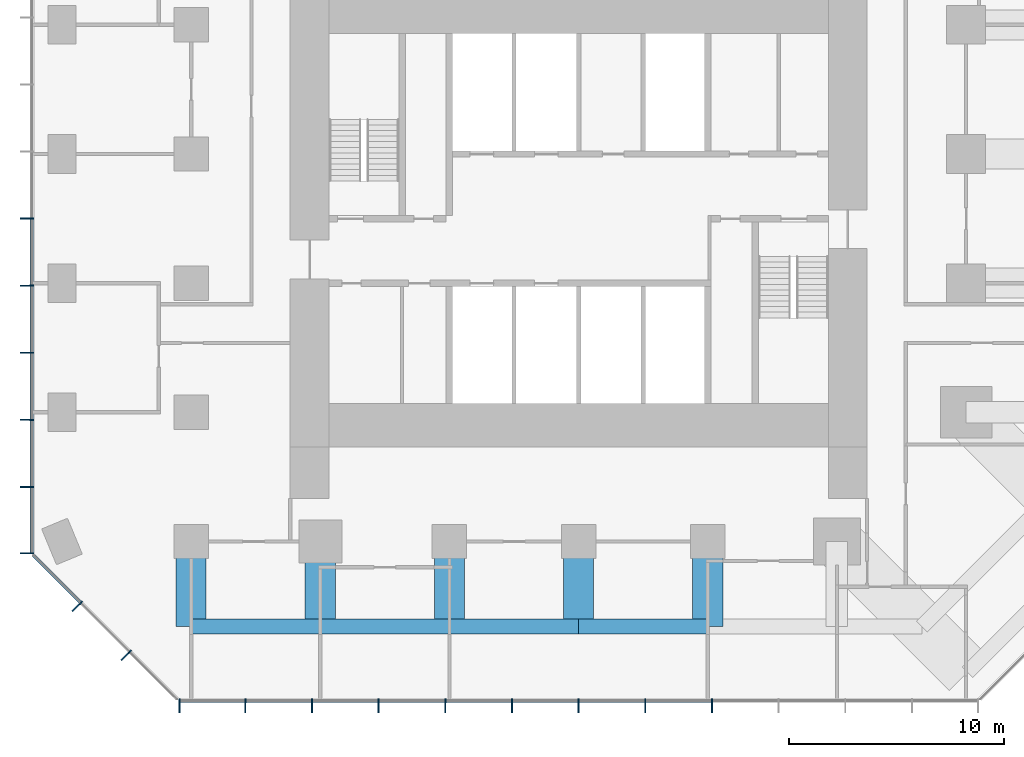
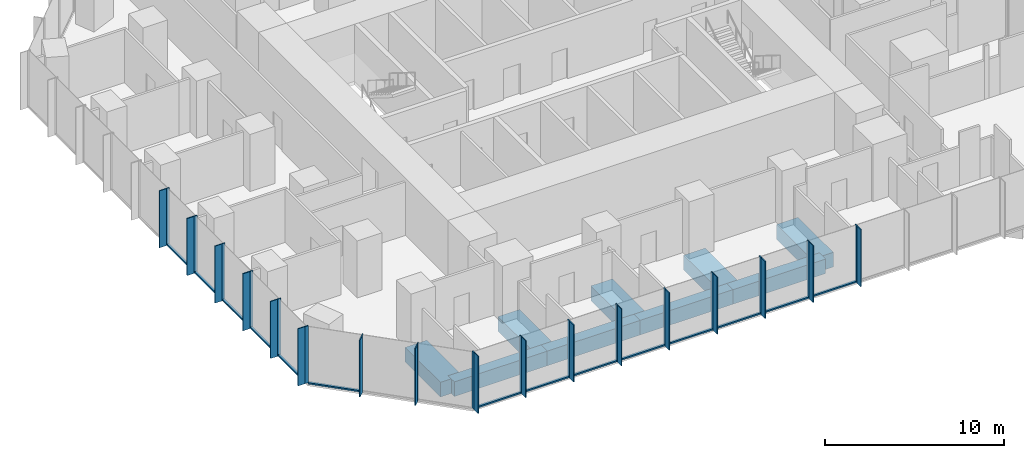
# One storey, part 2 of 12: 48 members, 9 beams, 3 elements without a shape of their own.
"""IFC4 building model written with IfcOpenShell, lengths in metres."""

from ifc_helpers import new_model, si_unit, direction, frame, origin, origin_2d, place, context, subcontext, project, spatial, rectangle, extrude, material, layer, layer_set, material_profile, profile_set, type_object, element, aggregate, save


model = new_model("IFC4")

# Units and contexts
model_context = context("Model", 3, precision=1e-05, world=origin(), true_north=direction((0.0, 1.0)))
body_context = subcontext(model_context, "Body", "Model", "MODEL_VIEW")
ifc_project = project(units=[si_unit("LENGTHUNIT", "METRE"), si_unit("AREAUNIT", "SQUARE_METRE"), si_unit("VOLUMEUNIT", "CUBIC_METRE"), si_unit("PLANEANGLEUNIT", "RADIAN"), si_unit("MASSUNIT", "GRAM", prefix="KILO")], contexts=[model_context])

# Site, building, storey
site_placement = place(None, origin())
site = spatial("IfcSite", under=ifc_project, at=site_placement, CompositionType="ELEMENT")
building_placement = place(site_placement, origin())
building = spatial("IfcBuilding", under=site, at=building_placement, Name="Highveld Stack Headquarters", CompositionType="ELEMENT")
storey_placement = place(building_placement, frame((0.0, 0.0, 148.39990234375)))
storey = spatial("IfcBuildingStorey", under=building, at=storey_placement, Name="L36", CompositionType="ELEMENT", Elevation=148.39990234375)

# Beams
ifc_material_1 = material(Name="Concrete C60/75", Category="concrete")
ifc_material_profile_1 = material_profile(ifc_material_1, rectangle(XDim=1.39990234375, YDim=1.0, at=origin_2d()), Name="RC 1400x1000")
ifc_profile_set_1 = profile_set([ifc_material_profile_1], Name="Concrete C60/75")
beam_type_1 = type_object("IfcBeamType", Name="CANTILEVER RIB RC 1400x1000", PredefinedType="USERDEFINED", material=ifc_profile_set_1)
for number, where, z_axis, x_axis, name in (
    (1, (-12.0, -12.0, -0.75), (0.0, -1.0, 0.0), (1.0, 0.0, 0.0), "Cantilever rib 4/C L36"),
    (2, (-6.0, -12.0, -0.75), (0.0, -1.0, 0.0), (1.0, 0.0, 0.0), "Cantilever rib 5/C L36"),
    (3, (0.0, -12.0, -0.75), (0.0, -1.0, 0.0), (1.0, 0.0, 0.0), "Cantilever rib 6/C L36"),
    (4, (6.0, -12.0, -0.75), (0.0, -1.0, 0.0), (1.0, 0.0, 0.0), "Cantilever rib 7/C L36"),
    (5, (12.0, -12.0, -0.75), (0.0, -1.0, 0.0), (1.0, 0.0, 0.0), "Cantilever rib 8/C L36"),
):
    element("IfcBeam", number, at=place(storey_placement, frame(where, z_axis=z_axis, x_axis=x_axis)), inside=storey, type_object=beam_type_1, Name=name, ObjectType="CANTILEVER RIB", PredefinedType="USERDEFINED", context=body_context, shape_type="SweptSolid", body=[
        extrude(rectangle(XDim=1.39990234375, YDim=1.0, at=origin_2d()), origin(), (0.0, 0.0, 1.0), 3.949951171875),
    ])

# Curtain wall, members
ifc_material_2 = material(Name="Aluminium bronze anodised", Category="aluminium")
ifc_layer_1 = layer(ifc_material_2, 0.199951171875)
ifc_layer_set_1 = layer_set([ifc_layer_1], Name="Aluminium bronze anodised")
curtain_wall_type_1 = type_object("IfcCurtainWallType", Name="CW1 TOWER UNITISED CURTAIN WALL", PredefinedType="NOTDEFINED", material=ifc_layer_set_1)
curtain_wall_1_placement = place(storey_placement, origin())
curtain_wall_1 = element("IfcCurtainWall", 6, at=curtain_wall_1_placement, inside=storey, type_object=curtain_wall_type_1, Name="Curtain wall CW1 L36 S", PredefinedType="NOTDEFINED")
ifc_material_3 = material(Name="Aluminium bronze anodised", Category="aluminium")
ifc_material_profile_2 = material_profile(ifc_material_3, rectangle(XDim=0.449951171875, YDim=0.06005859375, at=origin_2d()), Name="FIN 450x60")
ifc_profile_set_2 = profile_set([ifc_material_profile_2], Name="Aluminium bronze anodised")
member_type_1 = type_object("IfcMemberType", Name="CW1 BRONZE FIN 450x60", PredefinedType="USERDEFINED", material=ifc_profile_set_2)
member_1_placement = place(storey_placement, frame((-12.54736328125, -19.72509765625, 0.0), z_axis=(0.0, 0.0, 1.0), x_axis=(0.0, 1.0, 0.0)))
member_1 = element("IfcMember", 7, at=member_1_placement, type_object=member_type_1, Name="CW1 fin L36 1", ObjectType="FIN", PredefinedType="USERDEFINED", context=body_context, shape_type="SweptSolid", body=[
    extrude(rectangle(XDim=0.449951171875, YDim=0.06005859375, at=origin_2d()), origin(), (0.0, 0.0, 1.0), 3.900146484375),
])
member_2_placement = place(storey_placement, frame((-9.483154296875, -19.72509765625, 0.0), z_axis=(0.0, 0.0, 1.0), x_axis=(0.0, 1.0, 0.0)))
member_2 = element("IfcMember", 8, at=member_2_placement, type_object=member_type_1, Name="CW1 fin L36 2", ObjectType="FIN", PredefinedType="USERDEFINED", context=body_context, shape_type="SweptSolid", body=[
    extrude(rectangle(XDim=0.449951171875, YDim=0.06005859375, at=origin_2d()), origin(), (0.0, 0.0, 1.0), 3.900146484375),
])
member_3_placement = place(storey_placement, frame((-6.38671875, -19.72509765625, 0.0), z_axis=(0.0, 0.0, 1.0), x_axis=(0.0, 1.0, 0.0)))
member_3 = element("IfcMember", 9, at=member_3_placement, type_object=member_type_1, Name="CW1 fin L36 3", ObjectType="FIN", PredefinedType="USERDEFINED", context=body_context, shape_type="SweptSolid", body=[
    extrude(rectangle(XDim=0.449951171875, YDim=0.06005859375, at=origin_2d()), origin(), (0.0, 0.0, 1.0), 3.900146484375),
])
member_4_placement = place(storey_placement, frame((-3.2900390625, -19.72509765625, 0.0), z_axis=(0.0, 0.0, 1.0), x_axis=(0.0, 1.0, 0.0)))
member_4 = element("IfcMember", 10, at=member_4_placement, type_object=member_type_1, Name="CW1 fin L36 4", ObjectType="FIN", PredefinedType="USERDEFINED", context=body_context, shape_type="SweptSolid", body=[
    extrude(rectangle(XDim=0.449951171875, YDim=0.06005859375, at=origin_2d()), origin(), (0.0, 0.0, 1.0), 3.900146484375),
])
member_5_placement = place(storey_placement, frame((-0.193359375, -19.72509765625, 0.0), z_axis=(0.0, 0.0, 1.0), x_axis=(0.0, 1.0, 0.0)))
member_5 = element("IfcMember", 11, at=member_5_placement, type_object=member_type_1, Name="CW1 fin L36 5", ObjectType="FIN", PredefinedType="USERDEFINED", context=body_context, shape_type="SweptSolid", body=[
    extrude(rectangle(XDim=0.449951171875, YDim=0.06005859375, at=origin_2d()), origin(), (0.0, 0.0, 1.0), 3.900146484375),
])
member_6_placement = place(storey_placement, frame((2.9033203125, -19.72509765625, 0.0), z_axis=(0.0, 0.0, 1.0), x_axis=(0.0, 1.0, 0.0)))
member_6 = element("IfcMember", 12, at=member_6_placement, type_object=member_type_1, Name="CW1 fin L36 6", ObjectType="FIN", PredefinedType="USERDEFINED", context=body_context, shape_type="SweptSolid", body=[
    extrude(rectangle(XDim=0.449951171875, YDim=0.06005859375, at=origin_2d()), origin(), (0.0, 0.0, 1.0), 3.900146484375),
])
member_7_placement = place(storey_placement, frame((6.0, -19.72509765625, 0.0), z_axis=(0.0, 0.0, 1.0), x_axis=(0.0, 1.0, 0.0)))
member_7 = element("IfcMember", 13, at=member_7_placement, type_object=member_type_1, Name="CW1 fin L36 7", ObjectType="FIN", PredefinedType="USERDEFINED", context=body_context, shape_type="SweptSolid", body=[
    extrude(rectangle(XDim=0.449951171875, YDim=0.06005859375, at=origin_2d()), origin(), (0.0, 0.0, 1.0), 3.900146484375),
])
member_8_placement = place(storey_placement, frame((9.0966796875, -19.72509765625, 0.0), z_axis=(0.0, 0.0, 1.0), x_axis=(0.0, 1.0, 0.0)))
member_8 = element("IfcMember", 14, at=member_8_placement, type_object=member_type_1, Name="CW1 fin L36 8", ObjectType="FIN", PredefinedType="USERDEFINED", context=body_context, shape_type="SweptSolid", body=[
    extrude(rectangle(XDim=0.449951171875, YDim=0.06005859375, at=origin_2d()), origin(), (0.0, 0.0, 1.0), 3.900146484375),
])
member_9_placement = place(storey_placement, frame((12.193359375, -19.72509765625, 0.0), z_axis=(0.0, 0.0, 1.0), x_axis=(0.0, 1.0, 0.0)))
member_9 = element("IfcMember", 15, at=member_9_placement, type_object=member_type_1, Name="CW1 fin L36 9", ObjectType="FIN", PredefinedType="USERDEFINED", context=body_context, shape_type="SweptSolid", body=[
    extrude(rectangle(XDim=0.449951171875, YDim=0.06005859375, at=origin_2d()), origin(), (0.0, 0.0, 1.0), 3.900146484375),
])

curtain_wall_2_placement = place(storey_placement, origin())
curtain_wall_2 = element("IfcCurtainWall", 16, at=curtain_wall_2_placement, inside=storey, type_object=curtain_wall_type_1, Name="Curtain wall CW1 L36 W", PredefinedType="NOTDEFINED")
member_10_placement = place(storey_placement, frame((-19.72509765625, 3.0, 0.0), z_axis=(0.0, 0.0, 1.0), x_axis=(1.0, 0.0, 0.0)))
member_10 = element("IfcMember", 17, at=member_10_placement, type_object=member_type_1, Name="CW1 fin L36 6", ObjectType="FIN", PredefinedType="USERDEFINED", context=body_context, shape_type="SweptSolid", body=[
    extrude(rectangle(XDim=0.449951171875, YDim=0.06005859375, at=origin_2d()), origin(), (0.0, 0.0, 1.0), 3.900146484375),
])
member_11_placement = place(storey_placement, frame((-19.72509765625, -0.115966796875, 0.0), z_axis=(0.0, 0.0, 1.0), x_axis=(1.0, 0.0, 0.0)))
member_11 = element("IfcMember", 18, at=member_11_placement, type_object=member_type_1, Name="CW1 fin L36 7", ObjectType="FIN", PredefinedType="USERDEFINED", context=body_context, shape_type="SweptSolid", body=[
    extrude(rectangle(XDim=0.449951171875, YDim=0.06005859375, at=origin_2d()), origin(), (0.0, 0.0, 1.0), 3.900146484375),
])
member_12_placement = place(storey_placement, frame((-19.72509765625, -3.23193359375, 0.0), z_axis=(0.0, 0.0, 1.0), x_axis=(1.0, 0.0, 0.0)))
member_12 = element("IfcMember", 19, at=member_12_placement, type_object=member_type_1, Name="CW1 fin L36 8", ObjectType="FIN", PredefinedType="USERDEFINED", context=body_context, shape_type="SweptSolid", body=[
    extrude(rectangle(XDim=0.449951171875, YDim=0.06005859375, at=origin_2d()), origin(), (0.0, 0.0, 1.0), 3.900146484375),
])
member_13_placement = place(storey_placement, frame((-19.72509765625, -6.347900390625, 0.0), z_axis=(0.0, 0.0, 1.0), x_axis=(1.0, 0.0, 0.0)))
member_13 = element("IfcMember", 20, at=member_13_placement, type_object=member_type_1, Name="CW1 fin L36 9", ObjectType="FIN", PredefinedType="USERDEFINED", context=body_context, shape_type="SweptSolid", body=[
    extrude(rectangle(XDim=0.449951171875, YDim=0.06005859375, at=origin_2d()), origin(), (0.0, 0.0, 1.0), 3.900146484375),
])
member_14_placement = place(storey_placement, frame((-19.72509765625, -9.4638671875, 0.0), z_axis=(0.0, 0.0, 1.0), x_axis=(1.0, 0.0, 0.0)))
member_14 = element("IfcMember", 21, at=member_14_placement, type_object=member_type_1, Name="CW1 fin L36 10", ObjectType="FIN", PredefinedType="USERDEFINED", context=body_context, shape_type="SweptSolid", body=[
    extrude(rectangle(XDim=0.449951171875, YDim=0.06005859375, at=origin_2d()), origin(), (0.0, 0.0, 1.0), 3.900146484375),
])
member_15_placement = place(storey_placement, frame((-19.72509765625, -12.54736328125, 0.0), z_axis=(0.0, 0.0, 1.0), x_axis=(1.0, 0.0, 0.0)))
member_15 = element("IfcMember", 22, at=member_15_placement, type_object=member_type_1, Name="CW1 fin L36 11", ObjectType="FIN", PredefinedType="USERDEFINED", context=body_context, shape_type="SweptSolid", body=[
    extrude(rectangle(XDim=0.449951171875, YDim=0.06005859375, at=origin_2d()), origin(), (0.0, 0.0, 1.0), 3.900146484375),
])

# Member
ifc_material_4 = material(Name="Aluminium bronze anodised", Category="aluminium")
ifc_material_profile_3 = material_profile(ifc_material_4, rectangle(XDim=0.199951171875, YDim=0.06494140625, at=origin_2d()), Name="CW1 MULLION 65x200")
ifc_profile_set_3 = profile_set([ifc_material_profile_3], Name="Aluminium bronze anodised")
member_type_2 = type_object("IfcMemberType", Name="CW1 MULLION 65x200", PredefinedType="MULLION", material=ifc_profile_set_3)
member_16_placement = place(storey_placement, frame((-12.54736328125, -19.39990234375, 0.0), z_axis=(0.0, 0.0, 1.0), x_axis=(0.0, 1.0, 0.0)))
member_16 = element("IfcMember", 23, at=member_16_placement, type_object=member_type_2, Name="CW1 mullion L36 1", PredefinedType="MULLION", context=body_context, shape_type="SweptSolid", body=[
    extrude(rectangle(XDim=0.199951171875, YDim=0.06494140625, at=origin_2d()), origin(), (0.0, 0.0, 1.0), 3.900146484375),
])

member_17_placement = place(storey_placement, frame((-9.483154296875, -19.39990234375, 0.0), z_axis=(0.0, 0.0, 1.0), x_axis=(0.0, 1.0, 0.0)))
member_17 = element("IfcMember", 24, at=member_17_placement, type_object=member_type_2, Name="CW1 mullion L36 2", PredefinedType="MULLION", context=body_context, shape_type="SweptSolid", body=[
    extrude(rectangle(XDim=0.199951171875, YDim=0.06494140625, at=origin_2d()), origin(), (0.0, 0.0, 1.0), 3.900146484375),
])

member_18_placement = place(storey_placement, frame((-6.38671875, -19.39990234375, 0.0), z_axis=(0.0, 0.0, 1.0), x_axis=(0.0, 1.0, 0.0)))
member_18 = element("IfcMember", 25, at=member_18_placement, type_object=member_type_2, Name="CW1 mullion L36 3", PredefinedType="MULLION", context=body_context, shape_type="SweptSolid", body=[
    extrude(rectangle(XDim=0.199951171875, YDim=0.06494140625, at=origin_2d()), origin(), (0.0, 0.0, 1.0), 3.900146484375),
])

member_19_placement = place(storey_placement, frame((-3.2900390625, -19.39990234375, 0.0), z_axis=(0.0, 0.0, 1.0), x_axis=(0.0, 1.0, 0.0)))
member_19 = element("IfcMember", 26, at=member_19_placement, type_object=member_type_2, Name="CW1 mullion L36 4", PredefinedType="MULLION", context=body_context, shape_type="SweptSolid", body=[
    extrude(rectangle(XDim=0.199951171875, YDim=0.06494140625, at=origin_2d()), origin(), (0.0, 0.0, 1.0), 3.900146484375),
])

member_20_placement = place(storey_placement, frame((-0.193359375, -19.39990234375, 0.0), z_axis=(0.0, 0.0, 1.0), x_axis=(0.0, 1.0, 0.0)))
member_20 = element("IfcMember", 27, at=member_20_placement, type_object=member_type_2, Name="CW1 mullion L36 5", PredefinedType="MULLION", context=body_context, shape_type="SweptSolid", body=[
    extrude(rectangle(XDim=0.199951171875, YDim=0.06494140625, at=origin_2d()), origin(), (0.0, 0.0, 1.0), 3.900146484375),
])

member_21_placement = place(storey_placement, frame((2.9033203125, -19.39990234375, 0.0), z_axis=(0.0, 0.0, 1.0), x_axis=(0.0, 1.0, 0.0)))
member_21 = element("IfcMember", 28, at=member_21_placement, type_object=member_type_2, Name="CW1 mullion L36 6", PredefinedType="MULLION", context=body_context, shape_type="SweptSolid", body=[
    extrude(rectangle(XDim=0.199951171875, YDim=0.06494140625, at=origin_2d()), origin(), (0.0, 0.0, 1.0), 3.900146484375),
])

member_22_placement = place(storey_placement, frame((6.0, -19.39990234375, 0.0), z_axis=(0.0, 0.0, 1.0), x_axis=(0.0, 1.0, 0.0)))
member_22 = element("IfcMember", 29, at=member_22_placement, type_object=member_type_2, Name="CW1 mullion L36 7", PredefinedType="MULLION", context=body_context, shape_type="SweptSolid", body=[
    extrude(rectangle(XDim=0.199951171875, YDim=0.06494140625, at=origin_2d()), origin(), (0.0, 0.0, 1.0), 3.900146484375),
])

member_23_placement = place(storey_placement, frame((9.0966796875, -19.39990234375, 0.0), z_axis=(0.0, 0.0, 1.0), x_axis=(0.0, 1.0, 0.0)))
member_23 = element("IfcMember", 30, at=member_23_placement, type_object=member_type_2, Name="CW1 mullion L36 8", PredefinedType="MULLION", context=body_context, shape_type="SweptSolid", body=[
    extrude(rectangle(XDim=0.199951171875, YDim=0.06494140625, at=origin_2d()), origin(), (0.0, 0.0, 1.0), 3.900146484375),
])

member_24_placement = place(storey_placement, frame((12.193359375, -19.39990234375, 0.0), z_axis=(0.0, 0.0, 1.0), x_axis=(0.0, 1.0, 0.0)))
member_24 = element("IfcMember", 31, at=member_24_placement, type_object=member_type_2, Name="CW1 mullion L36 9", PredefinedType="MULLION", context=body_context, shape_type="SweptSolid", body=[
    extrude(rectangle(XDim=0.199951171875, YDim=0.06494140625, at=origin_2d()), origin(), (0.0, 0.0, 1.0), 3.900146484375),
])

member_25_placement = place(storey_placement, frame((-19.39990234375, 3.0, 0.0), z_axis=(0.0, 0.0, 1.0), x_axis=(1.0, 0.0, 0.0)))
member_25 = element("IfcMember", 32, at=member_25_placement, type_object=member_type_2, Name="CW1 mullion L36 6", PredefinedType="MULLION", context=body_context, shape_type="SweptSolid", body=[
    extrude(rectangle(XDim=0.199951171875, YDim=0.06494140625, at=origin_2d()), origin(), (0.0, 0.0, 1.0), 3.900146484375),
])

member_26_placement = place(storey_placement, frame((-19.39990234375, -0.115966796875, 0.0), z_axis=(0.0, 0.0, 1.0), x_axis=(1.0, 0.0, 0.0)))
member_26 = element("IfcMember", 33, at=member_26_placement, type_object=member_type_2, Name="CW1 mullion L36 7", PredefinedType="MULLION", context=body_context, shape_type="SweptSolid", body=[
    extrude(rectangle(XDim=0.199951171875, YDim=0.06494140625, at=origin_2d()), origin(), (0.0, 0.0, 1.0), 3.900146484375),
])

member_27_placement = place(storey_placement, frame((-19.39990234375, -3.23193359375, 0.0), z_axis=(0.0, 0.0, 1.0), x_axis=(1.0, 0.0, 0.0)))
member_27 = element("IfcMember", 34, at=member_27_placement, type_object=member_type_2, Name="CW1 mullion L36 8", PredefinedType="MULLION", context=body_context, shape_type="SweptSolid", body=[
    extrude(rectangle(XDim=0.199951171875, YDim=0.06494140625, at=origin_2d()), origin(), (0.0, 0.0, 1.0), 3.900146484375),
])

member_28_placement = place(storey_placement, frame((-19.39990234375, -6.347900390625, 0.0), z_axis=(0.0, 0.0, 1.0), x_axis=(1.0, 0.0, 0.0)))
member_28 = element("IfcMember", 35, at=member_28_placement, type_object=member_type_2, Name="CW1 mullion L36 9", PredefinedType="MULLION", context=body_context, shape_type="SweptSolid", body=[
    extrude(rectangle(XDim=0.199951171875, YDim=0.06494140625, at=origin_2d()), origin(), (0.0, 0.0, 1.0), 3.900146484375),
])

member_29_placement = place(storey_placement, frame((-19.39990234375, -9.4638671875, 0.0), z_axis=(0.0, 0.0, 1.0), x_axis=(1.0, 0.0, 0.0)))
member_29 = element("IfcMember", 36, at=member_29_placement, type_object=member_type_2, Name="CW1 mullion L36 10", PredefinedType="MULLION", context=body_context, shape_type="SweptSolid", body=[
    extrude(rectangle(XDim=0.199951171875, YDim=0.06494140625, at=origin_2d()), origin(), (0.0, 0.0, 1.0), 3.900146484375),
])

member_30_placement = place(storey_placement, frame((-19.39990234375, -12.54736328125, 0.0), z_axis=(0.0, 0.0, 1.0), x_axis=(1.0, 0.0, 0.0)))
member_30 = element("IfcMember", 37, at=member_30_placement, type_object=member_type_2, Name="CW1 mullion L36 11", PredefinedType="MULLION", context=body_context, shape_type="SweptSolid", body=[
    extrude(rectangle(XDim=0.199951171875, YDim=0.06494140625, at=origin_2d()), origin(), (0.0, 0.0, 1.0), 3.900146484375),
])

ifc_material_5 = material(Name="Aluminium bronze anodised", Category="aluminium")
ifc_material_profile_4 = material_profile(ifc_material_5, rectangle(XDim=0.14990234375, YDim=0.10009765625, at=origin_2d()), Name="CW1 TRANSOM 150x100")
ifc_profile_set_4 = profile_set([ifc_material_profile_4], Name="Aluminium bronze anodised")
member_type_3 = type_object("IfcMemberType", Name="CW1 STACK TRANSOM 150x100", PredefinedType="USERDEFINED", material=ifc_profile_set_4)
member_31_placement = place(storey_placement, frame((-12.514892578125, -19.39990234375, 0.050048828125), z_axis=(1.0, 0.0, 0.0), x_axis=(0.0, 1.0, 0.0)))
member_31 = element("IfcMember", 38, at=member_31_placement, type_object=member_type_3, Name="CW1 transom L36 1.1", ObjectType="TRANSOM", PredefinedType="USERDEFINED", context=body_context, shape_type="SweptSolid", body=[
    extrude(rectangle(XDim=0.14990234375, YDim=0.10009765625, at=origin_2d()), origin(), (0.0, 0.0, 1.0), 2.9990234375),
])

member_32_placement = place(storey_placement, frame((-9.45068359375, -19.39990234375, 0.050048828125), z_axis=(1.0, 0.0, 0.0), x_axis=(0.0, 1.0, 0.0)))
member_32 = element("IfcMember", 39, at=member_32_placement, type_object=member_type_3, Name="CW1 transom L36 2.1", ObjectType="TRANSOM", PredefinedType="USERDEFINED", context=body_context, shape_type="SweptSolid", body=[
    extrude(rectangle(XDim=0.14990234375, YDim=0.10009765625, at=origin_2d()), origin(), (0.0, 0.0, 1.0), 3.031494140625),
])

member_33_placement = place(storey_placement, frame((-6.35400390625, -19.39990234375, 0.050048828125), z_axis=(1.0, 0.0, 0.0), x_axis=(0.0, 1.0, 0.0)))
member_33 = element("IfcMember", 40, at=member_33_placement, type_object=member_type_3, Name="CW1 transom L36 3.1", ObjectType="TRANSOM", PredefinedType="USERDEFINED", context=body_context, shape_type="SweptSolid", body=[
    extrude(rectangle(XDim=0.14990234375, YDim=0.10009765625, at=origin_2d()), origin(), (0.0, 0.0, 1.0), 3.031494140625),
])

member_34_placement = place(storey_placement, frame((-3.257568359375, -19.39990234375, 0.050048828125), z_axis=(1.0, 0.0, 0.0), x_axis=(0.0, 1.0, 0.0)))
member_34 = element("IfcMember", 41, at=member_34_placement, type_object=member_type_3, Name="CW1 transom L36 4.1", ObjectType="TRANSOM", PredefinedType="USERDEFINED", context=body_context, shape_type="SweptSolid", body=[
    extrude(rectangle(XDim=0.14990234375, YDim=0.10009765625, at=origin_2d()), origin(), (0.0, 0.0, 1.0), 3.03173828125),
])

member_35_placement = place(storey_placement, frame((-0.160888671875, -19.39990234375, 0.050048828125), z_axis=(1.0, 0.0, 0.0), x_axis=(0.0, 1.0, 0.0)))
member_35 = element("IfcMember", 42, at=member_35_placement, type_object=member_type_3, Name="CW1 transom L36 5.1", ObjectType="TRANSOM", PredefinedType="USERDEFINED", context=body_context, shape_type="SweptSolid", body=[
    extrude(rectangle(XDim=0.14990234375, YDim=0.10009765625, at=origin_2d()), origin(), (0.0, 0.0, 1.0), 3.03173828125),
])

member_36_placement = place(storey_placement, frame((2.935791015625, -19.39990234375, 0.050048828125), z_axis=(1.0, 0.0, 0.0), x_axis=(0.0, 1.0, 0.0)))
member_36 = element("IfcMember", 43, at=member_36_placement, type_object=member_type_3, Name="CW1 transom L36 6.1", ObjectType="TRANSOM", PredefinedType="USERDEFINED", context=body_context, shape_type="SweptSolid", body=[
    extrude(rectangle(XDim=0.14990234375, YDim=0.10009765625, at=origin_2d()), origin(), (0.0, 0.0, 1.0), 3.03173828125),
])

member_37_placement = place(storey_placement, frame((6.032470703125, -19.39990234375, 0.050048828125), z_axis=(1.0, 0.0, 0.0), x_axis=(0.0, 1.0, 0.0)))
member_37 = element("IfcMember", 44, at=member_37_placement, type_object=member_type_3, Name="CW1 transom L36 7.1", ObjectType="TRANSOM", PredefinedType="USERDEFINED", context=body_context, shape_type="SweptSolid", body=[
    extrude(rectangle(XDim=0.14990234375, YDim=0.10009765625, at=origin_2d()), origin(), (0.0, 0.0, 1.0), 3.03173828125),
])

member_38_placement = place(storey_placement, frame((9.129150390625, -19.39990234375, 0.050048828125), z_axis=(1.0, 0.0, 0.0), x_axis=(0.0, 1.0, 0.0)))
member_38 = element("IfcMember", 45, at=member_38_placement, type_object=member_type_3, Name="CW1 transom L36 8.1", ObjectType="TRANSOM", PredefinedType="USERDEFINED", context=body_context, shape_type="SweptSolid", body=[
    extrude(rectangle(XDim=0.14990234375, YDim=0.10009765625, at=origin_2d()), origin(), (0.0, 0.0, 1.0), 3.03173828125),
])

aggregate(curtain_wall_1, [member_16, member_1, member_17, member_2, member_18, member_3, member_19, member_4, member_20, member_5, member_21, member_6, member_22, member_7, member_23, member_8, member_24, member_9, member_31, member_32, member_33, member_34, member_35, member_36, member_37, member_38])

member_39_placement = place(storey_placement, frame((-19.39990234375, 2.967529296875, 0.050048828125), z_axis=(0.0, -1.0, 0.0), x_axis=(1.0, 0.0, 0.0)))
member_39 = element("IfcMember", 46, at=member_39_placement, type_object=member_type_3, Name="CW1 transom L36 6.1", ObjectType="TRANSOM", PredefinedType="USERDEFINED", context=body_context, shape_type="SweptSolid", body=[
    extrude(rectangle(XDim=0.14990234375, YDim=0.10009765625, at=origin_2d()), origin(), (0.0, 0.0, 1.0), 3.051025390625),
])

member_40_placement = place(storey_placement, frame((-19.39990234375, -0.1484375, 0.050048828125), z_axis=(0.0, -1.0, 0.0), x_axis=(1.0, 0.0, 0.0)))
member_40 = element("IfcMember", 47, at=member_40_placement, type_object=member_type_3, Name="CW1 transom L36 7.1", ObjectType="TRANSOM", PredefinedType="USERDEFINED", context=body_context, shape_type="SweptSolid", body=[
    extrude(rectangle(XDim=0.14990234375, YDim=0.10009765625, at=origin_2d()), origin(), (0.0, 0.0, 1.0), 3.051025390625),
])

member_41_placement = place(storey_placement, frame((-19.39990234375, -3.264404296875, 0.050048828125), z_axis=(0.0, -1.0, 0.0), x_axis=(1.0, 0.0, 0.0)))
member_41 = element("IfcMember", 48, at=member_41_placement, type_object=member_type_3, Name="CW1 transom L36 8.1", ObjectType="TRANSOM", PredefinedType="USERDEFINED", context=body_context, shape_type="SweptSolid", body=[
    extrude(rectangle(XDim=0.14990234375, YDim=0.10009765625, at=origin_2d()), origin(), (0.0, 0.0, 1.0), 3.051025390625),
])

member_42_placement = place(storey_placement, frame((-19.39990234375, -6.38037109375, 0.050048828125), z_axis=(0.0, -1.0, 0.0), x_axis=(1.0, 0.0, 0.0)))
member_42 = element("IfcMember", 49, at=member_42_placement, type_object=member_type_3, Name="CW1 transom L36 9.1", ObjectType="TRANSOM", PredefinedType="USERDEFINED", context=body_context, shape_type="SweptSolid", body=[
    extrude(rectangle(XDim=0.14990234375, YDim=0.10009765625, at=origin_2d()), origin(), (0.0, 0.0, 1.0), 3.051025390625),
])

member_43_placement = place(storey_placement, frame((-19.39990234375, -9.496337890625, 0.050048828125), z_axis=(0.0, -1.0, 0.0), x_axis=(1.0, 0.0, 0.0)))
member_43 = element("IfcMember", 50, at=member_43_placement, type_object=member_type_3, Name="CW1 transom L36 10.1", ObjectType="TRANSOM", PredefinedType="USERDEFINED", context=body_context, shape_type="SweptSolid", body=[
    extrude(rectangle(XDim=0.14990234375, YDim=0.10009765625, at=origin_2d()), origin(), (0.0, 0.0, 1.0), 3.0185546875),
])

aggregate(curtain_wall_2, [member_25, member_10, member_26, member_11, member_27, member_12, member_28, member_13, member_29, member_14, member_30, member_15, member_39, member_40, member_41, member_42, member_43])

# Curtain wall, members
ifc_material_6 = material(Name="Aluminium bronze anodised", Category="aluminium")
ifc_layer_2 = layer(ifc_material_6, 0.199951171875)
ifc_layer_set_2 = layer_set([ifc_layer_2], Name="Aluminium bronze anodised")
curtain_wall_type_2 = type_object("IfcCurtainWallType", Name="CW2 TOWER CHAMFER UNITISED CURTAIN WALL", PredefinedType="NOTDEFINED", material=ifc_layer_set_2)
curtain_wall_3_placement = place(storey_placement, origin())
curtain_wall_3 = element("IfcCurtainWall", 51, at=curtain_wall_3_placement, inside=storey, type_object=curtain_wall_type_2, Name="Curtain wall CW2 L36 SW", PredefinedType="NOTDEFINED")
ifc_material_7 = material(Name="Aluminium bronze anodised", Category="aluminium")
ifc_material_profile_5 = material_profile(ifc_material_7, rectangle(XDim=0.449951171875, YDim=0.06005859375, at=origin_2d()), Name="FIN 450x60")
ifc_profile_set_5 = profile_set([ifc_material_profile_5], Name="Aluminium bronze anodised")
member_type_4 = type_object("IfcMemberType", Name="CW2 BRONZE FIN 450x60", PredefinedType="USERDEFINED", material=ifc_profile_set_5)
member_44_placement = place(storey_placement, frame((-17.3564453125, -15.0830078125, 0.0), z_axis=(0.0, 0.0, 1.0), x_axis=(0.707106781187, 0.707106781187, 0.0)))
member_44 = element("IfcMember", 52, at=member_44_placement, type_object=member_type_4, Name="CW2 fin L36 1", ObjectType="FIN", PredefinedType="USERDEFINED", context=body_context, shape_type="SweptSolid", body=[
    extrude(rectangle(XDim=0.449951171875, YDim=0.06005859375, at=origin_2d()), origin(), (0.0, 0.0, 1.0), 3.900146484375),
])
member_45_placement = place(storey_placement, frame((-15.0830078125, -17.3564453125, 0.0), z_axis=(0.0, 0.0, 1.0), x_axis=(0.707106781187, 0.707106781187, 0.0)))
member_45 = element("IfcMember", 53, at=member_45_placement, type_object=member_type_4, Name="CW2 fin L36 2", ObjectType="FIN", PredefinedType="USERDEFINED", context=body_context, shape_type="SweptSolid", body=[
    extrude(rectangle(XDim=0.449951171875, YDim=0.06005859375, at=origin_2d()), origin(), (0.0, 0.0, 1.0), 3.900146484375),
])
ifc_material_8 = material(Name="Aluminium bronze anodised", Category="aluminium")
ifc_material_profile_6 = material_profile(ifc_material_8, rectangle(XDim=0.199951171875, YDim=0.06494140625, at=origin_2d()), Name="CW2 MULLION 65x200")
ifc_profile_set_6 = profile_set([ifc_material_profile_6], Name="Aluminium bronze anodised")
member_type_5 = type_object("IfcMemberType", Name="CW2 MULLION 65x200", PredefinedType="MULLION", material=ifc_profile_set_6)
member_46_placement = place(storey_placement, frame((-17.126708984375, -14.853271484375, 0.0), z_axis=(0.0, 0.0, 1.0), x_axis=(0.707106781187, 0.707106781187, 0.0)))
member_46 = element("IfcMember", 54, at=member_46_placement, type_object=member_type_5, Name="CW2 mullion L36 1", PredefinedType="MULLION", context=body_context, shape_type="SweptSolid", body=[
    extrude(rectangle(XDim=0.199951171875, YDim=0.06494140625, at=origin_2d()), origin(), (0.0, 0.0, 1.0), 3.900146484375),
])
member_47_placement = place(storey_placement, frame((-14.853271484375, -17.126708984375, 0.0), z_axis=(0.0, 0.0, 1.0), x_axis=(0.707106781187, 0.707106781187, 0.0)))
member_47 = element("IfcMember", 55, at=member_47_placement, type_object=member_type_5, Name="CW2 mullion L36 2", PredefinedType="MULLION", context=body_context, shape_type="SweptSolid", body=[
    extrude(rectangle(XDim=0.199951171875, YDim=0.06494140625, at=origin_2d()), origin(), (0.0, 0.0, 1.0), 3.900146484375),
])
ifc_material_9 = material(Name="Aluminium bronze anodised", Category="aluminium")
ifc_material_profile_7 = material_profile(ifc_material_9, rectangle(XDim=0.14990234375, YDim=0.10009765625, at=origin_2d()), Name="CW2 TRANSOM 150x100")
ifc_profile_set_7 = profile_set([ifc_material_profile_7], Name="Aluminium bronze anodised")
member_type_6 = type_object("IfcMemberType", Name="CW2 STACK TRANSOM 150x100", PredefinedType="USERDEFINED", material=ifc_profile_set_7)
member_48_placement = place(storey_placement, frame((-19.329345703125, -12.650634765625, 0.050048828125), z_axis=(0.707106781187, -0.707106781187, 0.0), x_axis=(0.707106781187, 0.707106781187, 0.0)))
member_48 = element("IfcMember", 56, at=member_48_placement, type_object=member_type_6, Name="CW2 transom L36 1.1", ObjectType="TRANSOM", PredefinedType="USERDEFINED", context=body_context, shape_type="SweptSolid", body=[
    extrude(rectangle(XDim=0.14990234375, YDim=0.10009765625, at=origin_2d()), origin(), (0.0, 0.0, 1.0), 3.08251953125),
])
aggregate(curtain_wall_3, [member_46, member_44, member_47, member_45, member_48])

# Beams
ifc_material_10 = material(Name="Concrete C60/75", Category="concrete")
ifc_material_profile_8 = material_profile(ifc_material_10, rectangle(XDim=0.699951171875, YDim=1.0, at=origin_2d()), Name="RC 700x1000")
ifc_profile_set_8 = profile_set([ifc_material_profile_8], Name="Concrete C60/75")
beam_type_2 = type_object("IfcBeamType", Name="RIB TIP BEAM RC 700x1000", PredefinedType="SPANDREL", material=ifc_profile_set_8)
for number, where, z_axis, x_axis, name in (
    (57, (-12.0, -15.949951171875, -0.75), (1.0, 0.0, 0.0), (0.0, 1.0, 0.0), "Rib tip beam 4/C to 5/C L36"),
    (58, (-6.0, -15.949951171875, -0.75), (1.0, 0.0, 0.0), (0.0, 1.0, 0.0), "Rib tip beam 5/C to 6/C L36"),
    (59, (0.0, -15.949951171875, -0.75), (1.0, 0.0, 0.0), (0.0, 1.0, 0.0), "Rib tip beam 6/C to 7/C L36"),
    (60, (6.0, -15.949951171875, -0.75), (1.0, 0.0, 0.0), (0.0, 1.0, 0.0), "Rib tip beam 7/C to 8/C L36"),
):
    element("IfcBeam", number, at=place(storey_placement, frame(where, z_axis=z_axis, x_axis=x_axis)), inside=storey, type_object=beam_type_2, Name=name, PredefinedType="SPANDREL", context=body_context, shape_type="SweptSolid", body=[
        extrude(rectangle(XDim=0.699951171875, YDim=1.0, at=origin_2d()), origin(), (0.0, 0.0, 1.0), 6.0),
    ])

save(model, "model.ifc")
